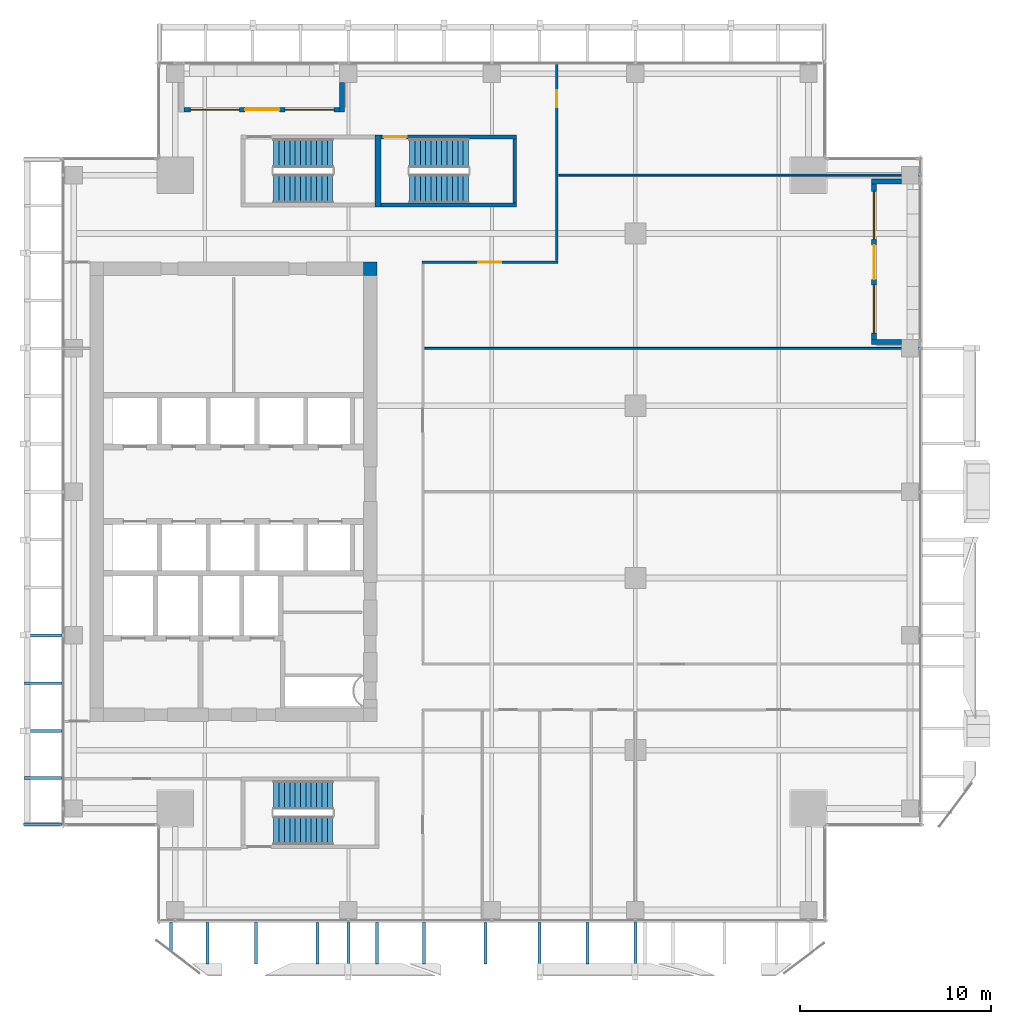
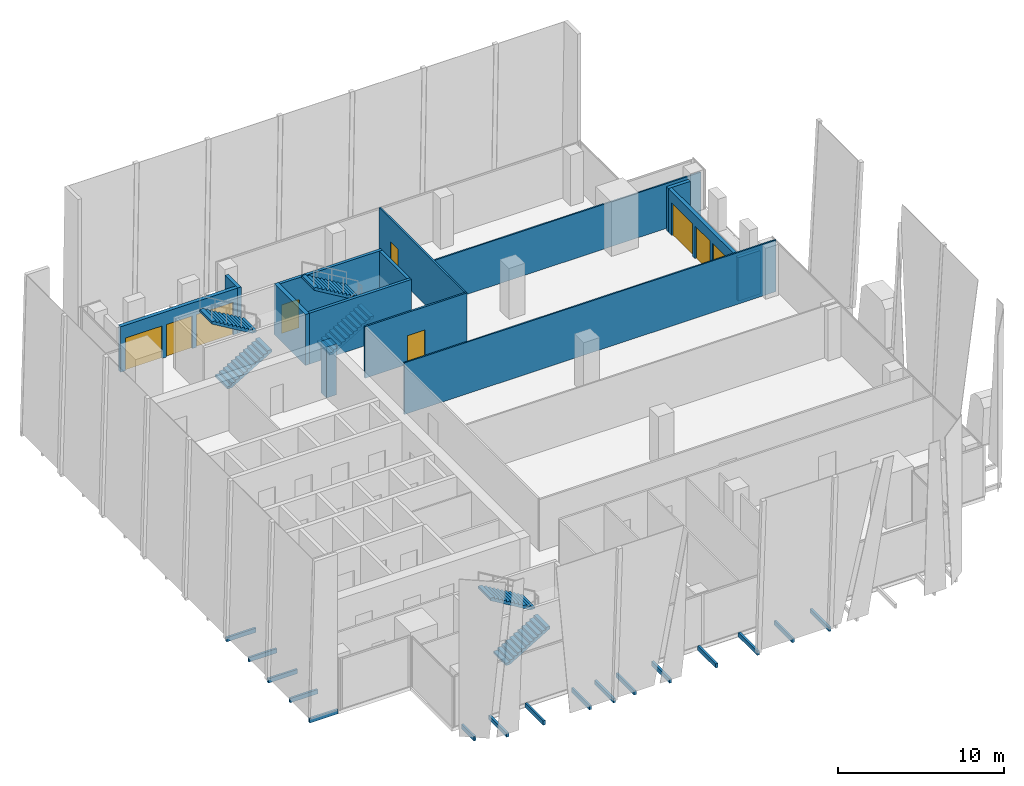
# One storey, part 30 of 35: 16 discrete accessories, 14 walls, 6 stair flights, 5 doors, 4 windows, 9 openings, 3 elements without a shape of their own.
"""IFC4 building model written with IfcOpenShell, lengths in metres."""

import ifcopenshell
import ifcopenshell.guid

model = None  # the IFC model being written
_history = None  # IfcOwnerHistory: only IFC2X3 demands one
_inside = {}  # id of a spatial element -> (the spatial element, [elements in it])
_under = {}  # id of a project, library or spatial element -> (it, [spatial elements below it])
_declared = {}  # id of a project -> (the project, [libraries it declares])
_typed = {}  # id of a type object -> (the type object, [elements of that type])
_made_of = {}  # id of a material, layer set ... -> (it, [elements and type objects made of it])


def new_model(schema):
    """Start an empty IFC model of exactly this schema.

    Asked for "IFC4X3", IfcOpenShell would pick the latest addendum, in which some entities
    have other attributes; the version numbers below select the first issue.
    IFC2X3 requires an IfcOwnerHistory on every rooted entity: one is made here for all.
    """
    global model, _history
    if schema == "IFC4X3":
        model = ifcopenshell.file(schema_version=(4, 3, 0, 0))
    else:
        model = ifcopenshell.file(schema=schema)
    _inside.clear()
    _under.clear()
    _declared.clear()
    _typed.clear()
    _made_of.clear()
    _history = None
    if model.schema == "IFC2X3":
        org = make("IfcOrganization", Name="unknown")
        user = make(
            "IfcPersonAndOrganization",
            ThePerson=make("IfcPerson", FamilyName="unknown"),
            TheOrganization=org,
        )
        app = make(
            "IfcApplication",
            ApplicationDeveloper=org,
            Version="unknown",
            ApplicationFullName="unknown",
            ApplicationIdentifier="unknown",
        )
        _history = make(
            "IfcOwnerHistory",
            OwningUser=user,
            OwningApplication=app,
            ChangeAction="ADDED",
            CreationDate=0,
        )
    return model


def make(cls, **values):
    """One entity of the class cls with the attributes given. An attribute that is None is left unset."""
    return model.create_entity(
        cls, **{name: value for name, value in values.items() if value is not None}
    )


def rooted(cls, **values):
    """An entity with a GlobalId (a new one), such as an element, a storey or a relation."""
    return make(cls, GlobalId=ifcopenshell.guid.new(), OwnerHistory=_history, **values)


def si_unit(unit_type, name, prefix=None):
    """IfcSIUnit, for example si_unit("LENGTHUNIT", "METRE", prefix="MILLI")."""
    return make("IfcSIUnit", UnitType=unit_type, Prefix=prefix, Name=name)


def assignment(units):
    """IfcUnitAssignment: the units of a project."""
    return None if units is None else make("IfcUnitAssignment", Units=units)


def point(xyz):
    """IfcCartesianPoint."""
    return None if xyz is None else make("IfcCartesianPoint", Coordinates=xyz)


def direction(xyz):
    """IfcDirection."""
    return None if xyz is None else make("IfcDirection", DirectionRatios=xyz)


def frame(location, z_axis=None, x_axis=None):
    """IfcAxis2Placement3D, a coordinate frame: its origin and axes. An axis left out is left unset."""
    return make(
        "IfcAxis2Placement3D",
        Location=point(location),
        Axis=direction(z_axis),
        RefDirection=direction(x_axis),
    )


def frame_2d(location, x_axis=None):
    """IfcAxis2Placement2D, a coordinate frame in the plane: its origin and x axis."""
    return make(
        "IfcAxis2Placement2D", Location=point(location), RefDirection=direction(x_axis)
    )


def origin():
    """The frame at (0, 0, 0) with its axes left unset."""
    return frame((0.0, 0.0, 0.0))


def origin_2d():
    """The frame at (0, 0) in the plane with its x axis left unset."""
    return frame_2d((0.0, 0.0))


def place(relative_to, where):
    """IfcLocalPlacement: puts the frame where relative to a parent placement (None: the world)."""
    return make(
        "IfcLocalPlacement", PlacementRelTo=relative_to, RelativePlacement=where
    )


def context(
    kind, dimensions, precision=None, world=None, true_north=None, identifier=None
):
    """IfcGeometricRepresentationContext, for example the 3D "Model" context."""
    return make(
        "IfcGeometricRepresentationContext",
        ContextIdentifier=identifier,
        ContextType=kind,
        CoordinateSpaceDimension=dimensions,
        Precision=precision,
        WorldCoordinateSystem=world,
        TrueNorth=true_north,
    )


def subcontext(parent, identifier, kind, view, scale=None):
    """IfcGeometricRepresentationSubContext, for example "Body" below "Model"."""
    return make(
        "IfcGeometricRepresentationSubContext",
        ContextIdentifier=identifier,
        ContextType=kind,
        ParentContext=parent,
        TargetScale=scale,
        TargetView=view,
    )


def project(units=None, contexts=None):
    """IfcProject with its units and contexts."""
    return rooted(
        "IfcProject",
        Name="project",
        RepresentationContexts=contexts,
        UnitsInContext=assignment(units),
    )


def spatial(cls, under=None, at=None, **own):
    """A site, building, storey or space (cls), placed at a placement, below another one or the project."""
    s = rooted(cls, ObjectPlacement=at, **own)
    if under is not None:
        _under.setdefault(under.id(), (under, []))[1].append(s)
    return s


def polyline(points):
    """IfcPolyline through the points."""
    return make("IfcPolyline", Points=[point(p) for p in points])


def profile(cls, at=None, kind="AREA", **sizes):
    """A parametric profile (cls). Its sizes go by their IFC names, for example OverallWidth=200.0."""
    return make(cls, ProfileType=kind, Position=at, **sizes)


def rectangle(**sizes):
    """IfcRectangleProfileDef."""
    return profile("IfcRectangleProfileDef", **sizes)


def outline(outer, holes=None, kind="AREA"):
    """IfcArbitraryClosedProfileDef: a profile drawn as a closed curve; with holes, ...WithVoids."""
    if holes is None:
        return make("IfcArbitraryClosedProfileDef", ProfileType=kind, OuterCurve=outer)
    return make(
        "IfcArbitraryProfileDefWithVoids",
        ProfileType=kind,
        OuterCurve=outer,
        InnerCurves=holes,
    )


def extrude(swept, where, along, depth):
    """IfcExtrudedAreaSolid: the profile swept, set in the frame where, extruded along a direction by depth."""
    return make(
        "IfcExtrudedAreaSolid",
        SweptArea=swept,
        Position=where,
        ExtrudedDirection=direction(along),
        Depth=depth,
    )


def shape(context_of_items, identifier, shape_type, items):
    """IfcShapeRepresentation: the items that make up one representation, for example the "Body"."""
    return make(
        "IfcShapeRepresentation",
        ContextOfItems=context_of_items,
        RepresentationIdentifier=identifier,
        RepresentationType=shape_type,
        Items=items,
    )


def source(mapping_origin, context_of_items, identifier, shape_type, items):
    """IfcRepresentationMap: a shape defined once, which mapped items show again and again."""
    return make(
        "IfcRepresentationMap",
        MappingOrigin=mapping_origin,
        MappedRepresentation=shape(context_of_items, identifier, shape_type, items),
    )


def transform(
    local_origin,
    x_axis=None,
    y_axis=None,
    z_axis=None,
    scale=None,
    scale2=None,
    scale3=None,
    uniform=True,
):
    """IfcCartesianTransformationOperator3D, or its non-uniform kind. x_axis, y_axis, z_axis: its Axis1, 2, 3."""
    if uniform:
        return make(
            "IfcCartesianTransformationOperator3D",
            Axis1=direction(x_axis),
            Axis2=direction(y_axis),
            LocalOrigin=point(local_origin),
            Scale=scale,
            Axis3=direction(z_axis),
        )
    return make(
        "IfcCartesianTransformationOperator3DnonUniform",
        Axis1=direction(x_axis),
        Axis2=direction(y_axis),
        LocalOrigin=point(local_origin),
        Scale=scale,
        Axis3=direction(z_axis),
        Scale2=scale2,
        Scale3=scale3,
    )


def mapped(mapping_source, mapping_target):
    """IfcMappedItem: shows the shape of a source again, moved by a transform."""
    return make(
        "IfcMappedItem", MappingSource=mapping_source, MappingTarget=mapping_target
    )


def material(Name=None, Category=None):
    """IfcMaterial."""
    return make("IfcMaterial", Name=Name, Category=Category)


def layer(
    of_material, thickness, ventilated=None, Name=None, Category=None, Priority=None
):
    """IfcMaterialLayer: one layer of a wall or slab, of a material (None: an air gap)."""
    return make(
        "IfcMaterialLayer",
        Material=of_material,
        LayerThickness=thickness,
        IsVentilated=ventilated,
        Name=Name,
        Category=Category,
        Priority=Priority,
    )


def layer_set(layers, Name=None):
    """IfcMaterialLayerSet."""
    return make("IfcMaterialLayerSet", MaterialLayers=layers, LayerSetName=Name)


def made_of(thing, what):
    """Note that an element or type object is made of a material, layer set ...; save() writes the relation."""
    if what is not None:
        _made_of.setdefault(what.id(), (what, []))[1].append(thing)
    return thing


def type_object(cls, material=None, **own):
    """A type object (cls), such as IfcWallType, which elements share."""
    return made_of(rooted(cls, **own), material)


def element(
    cls,
    number,
    at=None,
    inside=None,
    cuts=None,
    type_object=None,
    material=None,
    context=None,
    identifier="Body",
    shape_type=None,
    held_by="IfcProductDefinitionShape",
    body=None,
    shapes=None,
    **own,
):
    """One element of the class cls, such as IfcWall. Its Tag is "e" and its number.

    at: its placement. inside: the storey or other place that contains it. cuts: it is an
    opening in that element (IfcRelVoidsElement). A single representation is given by context,
    identifier, shape_type and body (its items); several are given by shapes. held_by: the class
    of the entity that holds the representations. save() writes the other relations.
    """
    e = rooted(cls, Tag="e%d" % number, ObjectPlacement=at, **own)
    if body is not None:
        shapes = [shape(context, identifier, shape_type, body)]
    if shapes is not None:
        e.Representation = make(held_by, Representations=shapes)
    if inside is not None:
        _inside.setdefault(inside.id(), (inside, []))[1].append(e)
    if cuts is not None:
        rooted(
            "IfcRelVoidsElement", RelatingBuildingElement=cuts, RelatedOpeningElement=e
        )
    if type_object is not None:
        _typed.setdefault(type_object.id(), (type_object, []))[1].append(e)
    return made_of(e, material)


def fill(opening, filler):
    """IfcRelFillsElement: the door or window that sits in an opening."""
    return rooted(
        "IfcRelFillsElement",
        RelatingOpeningElement=opening,
        RelatedBuildingElement=filler,
    )


def aggregate(whole, parts):
    """IfcRelAggregates: a whole, such as a stair, and the parts it consists of."""
    return rooted("IfcRelAggregates", RelatingObject=whole, RelatedObjects=parts)


def save(model, path):
    """Write the relations noted so far, then the file.

    IfcRelAggregates (storeys below a building ...), IfcRelContainedInSpatialStructure (elements
    in a storey), IfcRelDefinesByType, IfcRelAssociatesMaterial and IfcRelDeclares: one each for
    every whole, place, type object, material and project.
    """
    for whole, parts in _under.values():
        aggregate(whole, parts)
    for where, things in _inside.values():
        rooted(
            "IfcRelContainedInSpatialStructure",
            RelatedElements=things,
            RelatingStructure=where,
        )
    for kind, things in _typed.values():
        rooted("IfcRelDefinesByType", RelatedObjects=things, RelatingType=kind)
    for what, things in _made_of.values():
        rooted("IfcRelAssociatesMaterial", RelatedObjects=things, RelatingMaterial=what)
    for by, libraries in _declared.values():
        rooted("IfcRelDeclares", RelatingContext=by, RelatedDefinitions=libraries)
    model.write(path)


model = new_model("IFC4")

# Units and contexts
model_context = context("Model", 3, precision=1e-05, world=origin(), true_north=direction((0.0, 1.0)))
body_context = subcontext(model_context, "Body", "Model", "MODEL_VIEW")
ifc_project = project(units=[si_unit("LENGTHUNIT", "METRE"), si_unit("AREAUNIT", "SQUARE_METRE"), si_unit("VOLUMEUNIT", "CUBIC_METRE"), si_unit("PLANEANGLEUNIT", "RADIAN"), si_unit("MASSUNIT", "GRAM", prefix="KILO")], contexts=[model_context])

# Site, building, storey
site_placement = place(None, origin())
site = spatial("IfcSite", under=ifc_project, at=site_placement, CompositionType="ELEMENT")
building_placement = place(site_placement, origin())
building = spatial("IfcBuilding", under=site, at=building_placement, Name="Khomas Fold Tower", CompositionType="ELEMENT")
storey_placement = place(building_placement, frame((0.0, 0.0, 246.199951171875)))
storey = spatial("IfcBuildingStorey", under=building, at=storey_placement, Name="L55", CompositionType="ELEMENT", Elevation=246.199951171875)

# Wall, opening, door
ifc_material_1 = material(Name="Concrete C50/60", Category="concrete")
ifc_layer_1 = layer(ifc_material_1, 0.199951171875)
ifc_layer_set_1 = layer_set([ifc_layer_1], Name="Concrete C50/60")
wall_type_1 = type_object("IfcWallType", Name="Stair wall 200", PredefinedType="SHEAR", material=ifc_layer_set_1)
shared_shape_1 = source(origin(), body_context, "Body", "SweptSolid", [
    extrude(rectangle(XDim=7.10009765625, YDim=0.199951171875, at=frame_2d((3.550048828125, 0.0))), origin(), (0.0, 0.0, 1.0), 3.75),
])
wall_1_placement = place(storey_placement, frame((21.199951171875, 45.550048828125, 0.0), z_axis=(0.0, 0.0, 1.0), x_axis=(1.0, 0.0, 0.0)))
wall_1 = element("IfcWall", 1, at=wall_1_placement, inside=storey, type_object=wall_type_1, Name="Stair wall SW-ST3-N", PredefinedType="SHEAR", context=body_context, shape_type="MappedRepresentation", body=[
    mapped(shared_shape_1, transform((0.0, 0.0, 0.0))),
])
shared_shape_2 = source(origin(), body_context, "Body", "SweptSolid", [
    extrude(rectangle(XDim=1.199951171875, YDim=2.10009765625, at=frame_2d((0.60009765625, 1.050048828125))), frame((0.0, 0.10986328125, 0.0), z_axis=(0.0, -1.0, 0.0), x_axis=(1.0, 0.0, 0.0)), (0.0, 0.0, 1.0), 0.219970703125),
])
opening_1_placement = place(wall_1_placement, frame((0.14990234375, 0.0, 0.0)))
opening_1 = element("IfcOpeningElement", 2, at=opening_1_placement, cuts=wall_1, Name="Opening SD-ST3", PredefinedType="OPENING", context=body_context, shape_type="MappedRepresentation", body=[
    mapped(shared_shape_2, transform((0.0, 0.0, 0.0))),
])
ifc_material_2 = material(Name="Steel door leaf", Category="steel")
door_type_1 = type_object("IfcDoorType", Name="Stair door 1200x2100 left-hand", OperationType="SINGLE_SWING_LEFT", PredefinedType="DOOR", material=ifc_material_2)
shared_shape_3 = source(origin(), body_context, "Body", "SweptSolid", [
    extrude(rectangle(XDim=1.199951171875, YDim=2.10009765625, at=frame_2d((0.60009765625, 1.050048828125))), frame((0.0, 0.02490234375, 0.0), z_axis=(0.0, -1.0, 0.0), x_axis=(1.0, 0.0, 0.0)), (0.0, 0.0, 1.0), 0.050048828125),
])
door_1_placement = place(opening_1_placement, origin())
door_1 = element("IfcDoor", 3, at=door_1_placement, inside=storey, type_object=door_type_1, Name="Stair door", OperationType="SINGLE_SWING_LEFT", OverallHeight=2.10009765625, OverallWidth=1.199951171875, PredefinedType="DOOR", context=body_context, shape_type="MappedRepresentation", body=[
    mapped(shared_shape_3, transform((0.0, 0.0, 0.0))),
])
fill(opening_1, door_1)

# Walls
wall_2_placement = place(storey_placement, frame((21.199951171875, 42.0, 0.0), z_axis=(0.0, 0.0, 1.0), x_axis=(1.0, 0.0, 0.0)))
element("IfcWall", 4, at=wall_2_placement, inside=storey, type_object=wall_type_1, Name="Stair wall SW-ST3-S", PredefinedType="SHEAR", context=body_context, shape_type="MappedRepresentation", body=[
    mapped(shared_shape_1, transform((0.0, 0.0, 0.0))),
])
ifc_material_3 = material(Name="Concrete C50/60", Category="concrete")
ifc_layer_2 = layer(ifc_material_3, 0.300048828125)
ifc_layer_set_2 = layer_set([ifc_layer_2], Name="Concrete C50/60")
wall_type_2 = type_object("IfcWallType", Name="Stair wall 300", PredefinedType="SHEAR", material=ifc_layer_set_2)
shared_shape_4 = source(origin(), body_context, "Body", "SweptSolid", [
    extrude(rectangle(XDim=3.75, YDim=0.300048828125, at=frame_2d((1.875, 0.0))), origin(), (0.0, 0.0, 1.0), 3.75),
])
wall_3_placement = place(storey_placement, frame((21.050048828125, 41.89990234375, 0.0), z_axis=(0.0, 0.0, 1.0), x_axis=(0.0, 1.0, 0.0)))
element("IfcWall", 5, at=wall_3_placement, inside=storey, type_object=wall_type_2, Name="Stair wall SW-ST1-E", PredefinedType="SHEAR", context=body_context, shape_type="MappedRepresentation", body=[
    mapped(shared_shape_4, transform((0.0, 0.0, 0.0))),
])
shared_shape_5 = source(origin(), body_context, "Body", "SweptSolid", [
    extrude(rectangle(XDim=3.349853515625, YDim=0.199951171875, at=frame_2d((1.6748046875, 0.0))), origin(), (0.0, 0.0, 1.0), 3.75),
])
wall_4_placement = place(storey_placement, frame((28.199951171875, 42.10009765625, 0.0), z_axis=(0.0, 0.0, 1.0), x_axis=(0.0, 1.0, 0.0)))
element("IfcWall", 6, at=wall_4_placement, inside=storey, type_object=wall_type_1, Name="Stair wall SW-ST3-E", PredefinedType="SHEAR", context=body_context, shape_type="MappedRepresentation", body=[
    mapped(shared_shape_5, transform((0.0, 0.0, 0.0))),
])
ifc_material_4 = material(Name="Concrete C60/75", Category="concrete")
ifc_layer_3 = layer(ifc_material_4, 0.699951171875)
ifc_layer_set_3 = layer_set([ifc_layer_3], Name="Concrete C60/75")
wall_type_3 = type_object("IfcWallType", Name="Core corner wall 700", PredefinedType="SHEAR", material=ifc_layer_set_3)
shared_shape_6 = source(origin(), body_context, "Body", "SweptSolid", [
    extrude(rectangle(XDim=0.699951171875, YDim=0.699951171875, at=frame_2d((0.35009765625, 0.0))), origin(), (0.0, 0.0, 1.0), 3.75),
])
wall_5_placement = place(storey_placement, frame((20.300048828125, 38.64990234375, 0.0), z_axis=(0.0, 0.0, 1.0), x_axis=(1.0, 0.0, 0.0)))
element("IfcWall", 7, at=wall_5_placement, inside=storey, type_object=wall_type_3, Name="Core wall CW-U-NE-L49", PredefinedType="SHEAR", context=body_context, shape_type="MappedRepresentation", body=[
    mapped(shared_shape_6, transform((0.0, 0.0, 0.0))),
])

# Wall, openings, door, windows
ifc_material_5 = material(Name="Natural stone", Category="masonry")
ifc_layer_4 = layer(ifc_material_5, 0.0400390625)
ifc_material_6 = material(Name="Mineral wool insulation", Category="insulation")
ifc_layer_5 = layer(ifc_material_6, 0.10009765625)
ifc_material_7 = material(Name="Masonry", Category="masonry")
ifc_layer_6 = layer(ifc_material_7, 0.110107421875)
ifc_layer_set_4 = layer_set([ifc_layer_4, ifc_layer_5, ifc_layer_6], Name="Stone-faced insulated masonry")
wall_type_4 = type_object("IfcWallType", Name="BL-Balcony wall", PredefinedType="SOLIDWALL", material=ifc_layer_set_4)
shared_shape_7 = source(origin(), body_context, "Body", "SweptSolid", [
    extrude(rectangle(XDim=8.150146484375, YDim=0.25, at=frame_2d((4.0751953125, 0.0))), origin(), (0.0, 0.0, 1.0), 3.35009765625),
])
wall_6_placement = place(storey_placement, frame((10.89990234375, 46.97509765625, 0.0), z_axis=(0.0, 0.0, 1.0), x_axis=(1.0, 0.0, 0.0)))
wall_6 = element("IfcWall", 8, at=wall_6_placement, inside=storey, type_object=wall_type_4, Name="Balcony wall BAL-L55-N1", PredefinedType="SOLIDWALL", context=body_context, shape_type="MappedRepresentation", body=[
    mapped(shared_shape_7, transform((0.0, 0.0, 0.0))),
])
shared_shape_8 = source(origin(), body_context, "Body", "SweptSolid", [
    extrude(rectangle(XDim=2.550048828125, YDim=2.39990234375, at=frame_2d((1.27490234375, 1.199951171875))), frame((0.0, 0.135009765625, 0.0), z_axis=(0.0, -1.0, 0.0), x_axis=(1.0, 0.0, 0.0)), (0.0, 0.0, 1.0), 0.27001953125),
])
opening_2_placement = place(wall_6_placement, frame((0.35009765625, 0.0, 0.0)))
opening_2 = element("IfcOpeningElement", 9, at=opening_2_placement, cuts=wall_6, Name="Opening BL-W4", PredefinedType="OPENING", context=body_context, shape_type="MappedRepresentation", body=[
    mapped(shared_shape_8, transform((0.0, 0.0, 0.0))),
])
opening_3_placement = place(wall_6_placement, frame((5.300048828125, 0.0, 0.0)))
opening_3 = element("IfcOpeningElement", 10, at=opening_3_placement, cuts=wall_6, Name="Opening BL-W4", PredefinedType="OPENING", context=body_context, shape_type="MappedRepresentation", body=[
    mapped(shared_shape_8, transform((0.0, 0.0, 0.0))),
])
shared_shape_9 = source(origin(), body_context, "Body", "SweptSolid", [
    extrude(rectangle(XDim=1.800048828125, YDim=2.39990234375, at=frame_2d((0.89990234375, 1.199951171875))), frame((0.0, 0.135009765625, 0.0), z_axis=(0.0, -1.0, 0.0), x_axis=(1.0, 0.0, 0.0)), (0.0, 0.0, 1.0), 0.27001953125),
])
opening_4_placement = place(wall_6_placement, frame((3.199951171875, 0.0, 0.0)))
opening_4 = element("IfcOpeningElement", 11, at=opening_4_placement, cuts=wall_6, Name="Opening BD552", PredefinedType="OPENING", context=body_context, shape_type="MappedRepresentation", body=[
    mapped(shared_shape_9, transform((0.0, 0.0, 0.0))),
])
ifc_material_8 = material(Name="Aluminium framed double glazing", Category="aluminium")
door_type_2 = type_object("IfcDoorType", Name="BL-Glazed balcony door 1800 x 2400", OperationType="DOUBLE_DOOR_DOUBLE_SWING", PredefinedType="DOOR", material=ifc_material_8)
shared_shape_10 = source(origin(), body_context, "Body", "SweptSolid", [
    extrude(rectangle(XDim=1.800048828125, YDim=2.39990234375, at=frame_2d((0.89990234375, 1.199951171875))), frame((0.0, 0.02490234375, 0.0), z_axis=(0.0, -1.0, 0.0), x_axis=(1.0, 0.0, 0.0)), (0.0, 0.0, 1.0), 0.050048828125),
])
door_2_placement = place(opening_4_placement, origin())
door_2 = element("IfcDoor", 12, at=door_2_placement, inside=storey, type_object=door_type_2, Name="Balcony door BD552", OperationType="DOUBLE_DOOR_DOUBLE_SWING", OverallHeight=2.39990234375, OverallWidth=1.800048828125, PredefinedType="DOOR", context=body_context, shape_type="MappedRepresentation", body=[
    mapped(shared_shape_10, transform((0.0, 0.0, 0.0))),
])
fill(opening_4, door_2)
ifc_material_9 = material(Name="Aluminium framed double glazing", Category="aluminium")
window_type_1 = type_object("IfcWindowType", Name="BL-Fixed glazing 2550 x 2400", PartitioningType="SINGLE_PANEL", PredefinedType="WINDOW", material=ifc_material_9)
shared_shape_11 = source(origin(), body_context, "Body", "SweptSolid", [
    extrude(rectangle(XDim=2.550048828125, YDim=2.39990234375, at=frame_2d((1.27490234375, 1.199951171875))), frame((0.0, 0.030029296875, 0.0), z_axis=(0.0, -1.0, 0.0), x_axis=(1.0, 0.0, 0.0)), (0.0, 0.0, 1.0), 0.06005859375),
])
window_1_placement = place(opening_2_placement, origin())
window_1 = element("IfcWindow", 13, at=window_1_placement, inside=storey, type_object=window_type_1, Name="Balcony glazing BAL-L55-N1-1", OverallHeight=2.39990234375, OverallWidth=2.550048828125, PartitioningType="SINGLE_PANEL", PredefinedType="WINDOW", context=body_context, shape_type="MappedRepresentation", body=[
    mapped(shared_shape_11, transform((0.0, 0.0, 0.0))),
])
fill(opening_2, window_1)
window_2_placement = place(opening_3_placement, origin())
window_2 = element("IfcWindow", 14, at=window_2_placement, inside=storey, type_object=window_type_1, Name="Balcony glazing BAL-L55-N1-2", OverallHeight=2.39990234375, OverallWidth=2.550048828125, PartitioningType="SINGLE_PANEL", PredefinedType="WINDOW", context=body_context, shape_type="MappedRepresentation", body=[
    mapped(shared_shape_11, transform((0.0, 0.0, 0.0))),
])
fill(opening_3, window_2)

# Walls
shared_shape_12 = source(origin(), body_context, "Body", "SweptSolid", [
    extrude(rectangle(XDim=1.5498046875, YDim=0.25, at=frame_2d((0.77490234375, 0.0))), origin(), (0.0, 0.0, 1.0), 3.35009765625),
])
wall_7_placement = place(storey_placement, frame((19.175048828125, 48.39990234375, 0.0), z_axis=(0.0, 0.0, 1.0), x_axis=(0.0, -1.0, 0.0)))
element("IfcWall", 15, at=wall_7_placement, inside=storey, type_object=wall_type_4, Name="Balcony return wall BAL-L55-N1-hi", PredefinedType="SOLIDWALL", context=body_context, shape_type="MappedRepresentation", body=[
    mapped(shared_shape_12, transform((0.0, 0.0, 0.0))),
])
shared_shape_13 = source(origin(), body_context, "Body", "SweptSolid", [
    extrude(rectangle(XDim=1.5498046875, YDim=0.25, at=frame_2d((0.77490234375, 0.0))), origin(), (0.0, 0.0, 1.0), 3.199951171875),
])
for number, where, z_axis, x_axis, name in (
    (16, (48.39990234375, 34.824951171875, 0.0), (0.0, 0.0, 1.0), (-1.0, 0.0, 0.0), "Balcony return wall BAL-L55-E4-lo"),
    (17, (48.39990234375, 43.22509765625, 0.0), (0.0, 0.0, 1.0), (-1.0, 0.0, 0.0), "Balcony return wall BAL-L55-E4-hi"),
):
    element("IfcWall", number, at=place(storey_placement, frame(where, z_axis=z_axis, x_axis=x_axis)), inside=storey, type_object=wall_type_4, Name=name, PredefinedType="SOLIDWALL", context=body_context, shape_type="MappedRepresentation", body=[
        mapped(shared_shape_13, transform((0.0, 0.0, 0.0))),
    ])

# Wall, openings, door, windows
shared_shape_14 = source(origin(), body_context, "Body", "SweptSolid", [
    extrude(rectangle(XDim=8.150146484375, YDim=0.25, at=frame_2d((4.0751953125, 0.0))), origin(), (0.0, 0.0, 1.0), 3.199951171875),
])
wall_8_placement = place(storey_placement, frame((46.97509765625, 34.949951171875, 0.0), z_axis=(0.0, 0.0, 1.0), x_axis=(0.0, 1.0, 0.0)))
wall_8 = element("IfcWall", 18, at=wall_8_placement, inside=storey, type_object=wall_type_4, Name="Balcony wall BAL-L55-E4", PredefinedType="SOLIDWALL", context=body_context, shape_type="MappedRepresentation", body=[
    mapped(shared_shape_14, transform((0.0, 0.0, 0.0))),
])
shared_shape_15 = source(origin(), body_context, "Body", "SweptSolid", [
    extrude(rectangle(XDim=2.5, YDim=2.39990234375, at=frame_2d((1.25, 1.199951171875))), frame((0.0, 0.135009765625, 0.0), z_axis=(0.0, -1.0, 0.0), x_axis=(1.0, 0.0, 0.0)), (0.0, 0.0, 1.0), 0.27001953125),
])
opening_5_placement = place(wall_8_placement, frame((0.35009765625, 0.0, 0.0)))
opening_5 = element("IfcOpeningElement", 19, at=opening_5_placement, cuts=wall_8, Name="Opening BL-W5", PredefinedType="OPENING", context=body_context, shape_type="MappedRepresentation", body=[
    mapped(shared_shape_15, transform((0.0, 0.0, 0.0))),
])
opening_6_placement = place(wall_8_placement, frame((5.25, 0.0, 0.0)))
opening_6 = element("IfcOpeningElement", 20, at=opening_6_placement, cuts=wall_8, Name="Opening BL-W5", PredefinedType="OPENING", context=body_context, shape_type="MappedRepresentation", body=[
    mapped(shared_shape_15, transform((0.0, 0.0, 0.0))),
])
opening_7_placement = place(wall_8_placement, frame((3.14990234375, 0.0, 0.0)))
opening_7 = element("IfcOpeningElement", 21, at=opening_7_placement, cuts=wall_8, Name="Opening BD551", PredefinedType="OPENING", context=body_context, shape_type="MappedRepresentation", body=[
    mapped(shared_shape_9, transform((0.0, 0.0, 0.0))),
])
door_3_placement = place(opening_7_placement, origin())
door_3 = element("IfcDoor", 22, at=door_3_placement, inside=storey, type_object=door_type_2, Name="Balcony door BD551", OperationType="DOUBLE_DOOR_DOUBLE_SWING", OverallHeight=2.39990234375, OverallWidth=1.800048828125, PredefinedType="DOOR", context=body_context, shape_type="MappedRepresentation", body=[
    mapped(shared_shape_10, transform((0.0, 0.0, 0.0))),
])
fill(opening_7, door_3)
ifc_material_10 = material(Name="Aluminium framed double glazing", Category="aluminium")
window_type_2 = type_object("IfcWindowType", Name="BL-Fixed glazing 2500 x 2400", PartitioningType="SINGLE_PANEL", PredefinedType="WINDOW", material=ifc_material_10)
shared_shape_16 = source(origin(), body_context, "Body", "SweptSolid", [
    extrude(rectangle(XDim=2.5, YDim=2.39990234375, at=frame_2d((1.25, 1.199951171875))), frame((0.0, 0.030029296875, 0.0), z_axis=(0.0, -1.0, 0.0), x_axis=(1.0, 0.0, 0.0)), (0.0, 0.0, 1.0), 0.06005859375),
])
window_3_placement = place(opening_5_placement, origin())
window_3 = element("IfcWindow", 23, at=window_3_placement, inside=storey, type_object=window_type_2, Name="Balcony glazing BAL-L55-E4-1", OverallHeight=2.39990234375, OverallWidth=2.5, PartitioningType="SINGLE_PANEL", PredefinedType="WINDOW", context=body_context, shape_type="MappedRepresentation", body=[
    mapped(shared_shape_16, transform((0.0, 0.0, 0.0))),
])
fill(opening_5, window_3)
window_4_placement = place(opening_6_placement, origin())
window_4 = element("IfcWindow", 24, at=window_4_placement, inside=storey, type_object=window_type_2, Name="Balcony glazing BAL-L55-E4-2", OverallHeight=2.39990234375, OverallWidth=2.5, PartitioningType="SINGLE_PANEL", PredefinedType="WINDOW", context=body_context, shape_type="MappedRepresentation", body=[
    mapped(shared_shape_16, transform((0.0, 0.0, 0.0))),
])
fill(opening_6, window_4)

# Wall, opening, door
ifc_material_11 = material(Name="Plasterboard partition")
ifc_layer_7 = layer(ifc_material_11, 0.125)
ifc_layer_set_5 = layer_set([ifc_layer_7], Name="Plasterboard partition")
wall_type_5 = type_object("IfcWallType", Name="Partition PW2 125", PredefinedType="PARTITIONING", material=ifc_layer_set_5)
shared_shape_17 = source(origin(), body_context, "Body", "SweptSolid", [
    extrude(rectangle(XDim=10.25, YDim=0.125, at=frame_2d((5.125, 0.0))), origin(), (0.0, 0.0, 1.0), 3.800048828125),
])
wall_9_placement = place(storey_placement, frame((30.39990234375, 39.10009765625, 0.0), z_axis=(0.0, 0.0, 1.0), x_axis=(0.0, 1.0, 0.0)))
wall_9 = element("IfcWall", 25, at=wall_9_placement, inside=storey, type_object=wall_type_5, Name="Partition", PredefinedType="PARTITIONING", context=body_context, shape_type="MappedRepresentation", body=[
    mapped(shared_shape_17, transform((0.0, 0.0, 0.0))),
])
shared_shape_18 = source(origin(), body_context, "Body", "SweptSolid", [
    extrude(rectangle(XDim=0.89990234375, YDim=2.10009765625, at=frame_2d((0.449951171875, 1.050048828125))), frame((0.0, 0.072509765625, 0.0), z_axis=(0.0, -1.0, 0.0), x_axis=(1.0, 0.0, 0.0)), (0.0, 0.0, 1.0), 0.14501953125),
])
opening_8_placement = place(wall_9_placement, frame((8.0, 0.0, 0.0)))
opening_8 = element("IfcOpeningElement", 26, at=opening_8_placement, cuts=wall_9, Name="Opening 0007", PredefinedType="OPENING", context=body_context, shape_type="MappedRepresentation", body=[
    mapped(shared_shape_18, transform((0.0, 0.0, 0.0))),
])
ifc_material_12 = material(Name="Timber door leaf", Category="wood")
door_type_3 = type_object("IfcDoorType", Name="Door 900x2100 left-hand", OperationType="SINGLE_SWING_LEFT", PredefinedType="DOOR", material=ifc_material_12)
shared_shape_19 = source(origin(), body_context, "Body", "SweptSolid", [
    extrude(rectangle(XDim=0.89990234375, YDim=2.10009765625, at=frame_2d((0.449951171875, 1.050048828125))), frame((0.0, 0.02490234375, 0.0), z_axis=(0.0, -1.0, 0.0), x_axis=(1.0, 0.0, 0.0)), (0.0, 0.0, 1.0), 0.050048828125),
])
door_4_placement = place(opening_8_placement, origin())
door_4 = element("IfcDoor", 27, at=door_4_placement, inside=storey, type_object=door_type_3, Name="Door", OperationType="SINGLE_SWING_LEFT", OverallHeight=2.10009765625, OverallWidth=0.89990234375, PredefinedType="DOOR", context=body_context, shape_type="MappedRepresentation", body=[
    mapped(shared_shape_19, transform((0.0, 0.0, 0.0))),
])
fill(opening_8, door_4)

shared_shape_20 = source(origin(), body_context, "Body", "SweptSolid", [
    extrude(rectangle(XDim=7.099853515625, YDim=0.125, at=frame_2d((3.5498046875, 0.0))), origin(), (0.0, 0.0, 1.0), 3.800048828125),
])
wall_10_placement = place(storey_placement, frame((23.35009765625, 39.0, 0.0), z_axis=(0.0, 0.0, 1.0), x_axis=(1.0, 0.0, 0.0)))
wall_10 = element("IfcWall", 28, at=wall_10_placement, inside=storey, type_object=wall_type_5, Name="Partition", PredefinedType="PARTITIONING", context=body_context, shape_type="MappedRepresentation", body=[
    mapped(shared_shape_20, transform((0.0, 0.0, 0.0))),
])
shared_shape_21 = source(origin(), body_context, "Body", "SweptSolid", [
    extrude(rectangle(XDim=1.199951171875, YDim=2.10009765625, at=frame_2d((0.60009765625, 1.050048828125))), frame((0.0, 0.072509765625, 0.0), z_axis=(0.0, -1.0, 0.0), x_axis=(1.0, 0.0, 0.0)), (0.0, 0.0, 1.0), 0.14501953125),
])
opening_9_placement = place(wall_10_placement, frame((2.949951171875, 0.0, 0.0)))
opening_9 = element("IfcOpeningElement", 29, at=opening_9_placement, cuts=wall_10, Name="Opening 0013", PredefinedType="OPENING", context=body_context, shape_type="MappedRepresentation", body=[
    mapped(shared_shape_21, transform((0.0, 0.0, 0.0))),
])
ifc_material_13 = material(Name="Timber door leaf", Category="wood")
door_type_4 = type_object("IfcDoorType", Name="Door 1200x2100 left-hand", OperationType="SINGLE_SWING_LEFT", PredefinedType="DOOR", material=ifc_material_13)
door_5_placement = place(opening_9_placement, origin())
door_5 = element("IfcDoor", 30, at=door_5_placement, inside=storey, type_object=door_type_4, Name="Door", OperationType="SINGLE_SWING_LEFT", OverallHeight=2.10009765625, OverallWidth=1.199951171875, PredefinedType="DOOR", context=body_context, shape_type="MappedRepresentation", body=[
    mapped(shared_shape_3, transform((0.0, 0.0, 0.0))),
])
fill(opening_9, door_5)

# Walls
ifc_material_14 = material(Name="Plasterboard partition")
ifc_layer_8 = layer(ifc_material_14, 0.10009765625)
ifc_layer_set_6 = layer_set([ifc_layer_8], Name="Plasterboard partition")
wall_type_6 = type_object("IfcWallType", Name="Partition PW1 100", PredefinedType="PARTITIONING", material=ifc_layer_set_6)
shared_shape_22 = source(origin(), body_context, "Body", "SweptSolid", [
    extrude(rectangle(XDim=25.85009765625, YDim=0.10009765625, at=frame_2d((12.925048828125, 0.0))), origin(), (0.0, 0.0, 1.0), 3.800048828125),
])
wall_11_placement = place(storey_placement, frame((23.5, 34.5, 0.0), z_axis=(0.0, 0.0, 1.0), x_axis=(1.0, 0.0, 0.0)))
element("IfcWall", 31, at=wall_11_placement, inside=storey, type_object=wall_type_6, Name="Partition", PredefinedType="PARTITIONING", context=body_context, shape_type="MappedRepresentation", body=[
    mapped(shared_shape_22, transform((0.0, 0.0, 0.0))),
])
shared_shape_23 = source(origin(), body_context, "Body", "SweptSolid", [
    extrude(rectangle(XDim=18.85009765625, YDim=0.10009765625, at=frame_2d((9.425048828125, 0.0))), origin(), (0.0, 0.0, 1.0), 3.300048828125),
])
wall_12_placement = place(storey_placement, frame((30.5, 43.550048828125, 0.0), z_axis=(0.0, 0.0, 1.0), x_axis=(1.0, 0.0, 0.0)))
element("IfcWall", 32, at=wall_12_placement, inside=storey, type_object=wall_type_6, Name="Partition", PredefinedType="PARTITIONING", context=body_context, shape_type="MappedRepresentation", body=[
    mapped(shared_shape_23, transform((0.0, 0.0, 0.0))),
])

# Stair, stair flights
ifc_material_15 = material(Name="Concrete C40/50", Category="concrete")
stair_type_1 = type_object("IfcStairType", Name="Stair ST1", PredefinedType="HALF_TURN_STAIR", material=ifc_material_15)
stair_1_placement = place(storey_placement, origin())
stair_1 = element("IfcStair", 33, at=stair_1_placement, inside=storey, type_object=stair_type_1, Name="L55 ST1", PredefinedType="HALF_TURN_STAIR")
ifc_material_16 = material(Name="Concrete C40/50", Category="concrete")
stair_flight_type_1 = type_object("IfcStairFlightType", Name="Stair flight 1500 ST1", PredefinedType="STRAIGHT", material=ifc_material_16)
shared_shape_24 = source(origin(), body_context, "Body", "SweptSolid", [
    extrude(outline(polyline([(0.0, 0.0), (0.0, 0.012939453125), (0.0, 0.025634765625), (0.0, 0.03857421875), (0.0, 0.05126953125), (0.0, 0.064208984375), (0.0, 0.076904296875), (0.0, 0.08984375), (0.0, 0.1025390625), (0.0, 0.115478515625), (0.0, 0.128173828125), (0.0, 0.14111328125), (0.0, 0.15380859375), (0.0, 0.166748046875), (0.280029296875, 0.166748046875), (0.280029296875, 0.333251953125), (0.56005859375, 0.333251953125), (0.56005859375, 0.5), (0.840087890625, 0.5), (0.840087890625, 0.666748046875), (1.1201171875, 0.666748046875), (1.1201171875, 0.833251953125), (1.39990234375, 0.833251953125), (1.39990234375, 1.0), (1.679931640625, 1.0), (1.679931640625, 1.166748046875), (1.9599609375, 1.166748046875), (1.9599609375, 1.333251953125), (2.239990234375, 1.333251953125), (2.239990234375, 1.5), (2.52001953125, 1.5), (2.52001953125, 1.666748046875), (2.800048828125, 1.666748046875), (2.800048828125, 1.833251953125), (3.080078125, 1.833251953125), (3.080078125, 2.0), (3.080078125, 1.973876953125), (3.080078125, 1.947509765625), (3.080078125, 1.92138671875), (3.080078125, 1.89501953125), (3.080078125, 1.868896484375), (3.080078125, 1.842529296875), (3.080078125, 1.81640625), (3.080078125, 1.7900390625), (3.080078125, 1.763916015625), (3.080078125, 1.737548828125), (3.080078125, 1.71142578125), (3.080078125, 1.68505859375), (3.080078125, 1.658935546875), (0.29296875, 0.0), (0.0, 0.0)])), frame((0.0, 0.75, 0.0), z_axis=(0.0, -1.0, 0.0), x_axis=(1.0, 0.0, 0.0)), (0.0, 0.0, 1.0), 1.5),
])
stair_flight_1_placement = place(storey_placement, frame((15.60009765625, 42.85009765625, 0.0), z_axis=(0.0, 0.0, 1.0), x_axis=(1.0, 0.0, 0.0)))
stair_flight_1 = element("IfcStairFlight", 34, at=stair_flight_1_placement, type_object=stair_flight_type_1, Name="ST1 flight 1", NumberOfRisers=12, NumberOfTreads=11, PredefinedType="STRAIGHT", RiserHeight=0.166666667, TreadLength=0.28, context=body_context, shape_type="MappedRepresentation", body=[
    mapped(shared_shape_24, transform((0.0, 0.0, 0.0))),
])
stair_flight_2_placement = place(storey_placement, frame((18.679931640625, 44.699951171875, 2.0), z_axis=(0.0, 0.0, 1.0), x_axis=(-1.0, 0.0, 0.0)))
stair_flight_2 = element("IfcStairFlight", 35, at=stair_flight_2_placement, type_object=stair_flight_type_1, Name="ST1 flight 2", NumberOfRisers=12, NumberOfTreads=11, PredefinedType="STRAIGHT", RiserHeight=0.166666667, TreadLength=0.28, context=body_context, shape_type="MappedRepresentation", body=[
    mapped(shared_shape_24, transform((0.0, 0.0, 0.0))),
])
aggregate(stair_1, [stair_flight_1, stair_flight_2])

ifc_material_17 = material(Name="Concrete C40/50", Category="concrete")
stair_type_2 = type_object("IfcStairType", Name="Stair ST2", PredefinedType="HALF_TURN_STAIR", material=ifc_material_17)
stair_2_placement = place(storey_placement, origin())
stair_2 = element("IfcStair", 36, at=stair_2_placement, inside=storey, type_object=stair_type_2, Name="L55 ST2", PredefinedType="HALF_TURN_STAIR")
ifc_material_18 = material(Name="Concrete C40/50", Category="concrete")
stair_flight_type_2 = type_object("IfcStairFlightType", Name="Stair flight 1500 ST2", PredefinedType="STRAIGHT", material=ifc_material_18)
stair_flight_3_placement = place(storey_placement, frame((15.60009765625, 9.300048828125, 0.0), z_axis=(0.0, 0.0, 1.0), x_axis=(1.0, 0.0, 0.0)))
stair_flight_3 = element("IfcStairFlight", 37, at=stair_flight_3_placement, type_object=stair_flight_type_2, Name="ST2 flight 1", NumberOfRisers=12, NumberOfTreads=11, PredefinedType="STRAIGHT", RiserHeight=0.166666667, TreadLength=0.28, context=body_context, shape_type="MappedRepresentation", body=[
    mapped(shared_shape_24, transform((0.0, 0.0, 0.0))),
])
stair_flight_4_placement = place(storey_placement, frame((18.679931640625, 11.14990234375, 2.0), z_axis=(0.0, 0.0, 1.0), x_axis=(-1.0, 0.0, 0.0)))
stair_flight_4 = element("IfcStairFlight", 38, at=stair_flight_4_placement, type_object=stair_flight_type_2, Name="ST2 flight 2", NumberOfRisers=12, NumberOfTreads=11, PredefinedType="STRAIGHT", RiserHeight=0.166666667, TreadLength=0.28, context=body_context, shape_type="MappedRepresentation", body=[
    mapped(shared_shape_24, transform((0.0, 0.0, 0.0))),
])
aggregate(stair_2, [stair_flight_3, stair_flight_4])

ifc_material_19 = material(Name="Concrete C40/50", Category="concrete")
stair_type_3 = type_object("IfcStairType", Name="Stair ST3", PredefinedType="HALF_TURN_STAIR", material=ifc_material_19)
stair_3_placement = place(storey_placement, origin())
stair_3 = element("IfcStair", 39, at=stair_3_placement, inside=storey, type_object=stair_type_3, Name="L55 ST3", PredefinedType="HALF_TURN_STAIR")
ifc_material_20 = material(Name="Concrete C40/50", Category="concrete")
stair_flight_type_3 = type_object("IfcStairFlightType", Name="Stair flight 1500 ST3", PredefinedType="STRAIGHT", material=ifc_material_20)
stair_flight_5_placement = place(storey_placement, frame((22.699951171875, 42.85009765625, 0.0), z_axis=(0.0, 0.0, 1.0), x_axis=(1.0, 0.0, 0.0)))
stair_flight_5 = element("IfcStairFlight", 40, at=stair_flight_5_placement, type_object=stair_flight_type_3, Name="ST3 flight 1", NumberOfRisers=12, NumberOfTreads=11, PredefinedType="STRAIGHT", RiserHeight=0.166666667, TreadLength=0.28, context=body_context, shape_type="MappedRepresentation", body=[
    mapped(shared_shape_24, transform((0.0, 0.0, 0.0))),
])
stair_flight_6_placement = place(storey_placement, frame((25.780029296875, 44.699951171875, 2.0), z_axis=(0.0, 0.0, 1.0), x_axis=(-1.0, 0.0, 0.0)))
stair_flight_6 = element("IfcStairFlight", 41, at=stair_flight_6_placement, type_object=stair_flight_type_3, Name="ST3 flight 2", NumberOfRisers=12, NumberOfTreads=11, PredefinedType="STRAIGHT", RiserHeight=0.166666667, TreadLength=0.28, context=body_context, shape_type="MappedRepresentation", body=[
    mapped(shared_shape_24, transform((0.0, 0.0, 0.0))),
])
aggregate(stair_3, [stair_flight_5, stair_flight_6])

# Discrete accessories
ifc_material_21 = material(Name="Stainless steel", Category="steel")
discrete_accessory_type = type_object("IfcDiscreteAccessoryType", Name="SK-Stainless steel stone bracket", PredefinedType="BRACKET", material=ifc_material_21)
shared_shape_25 = source(origin(), body_context, "Body", "SweptSolid", [
    extrude(rectangle(XDim=2.184326171875, YDim=0.14990234375, at=origin_2d()), origin(), (0.0, 0.0, 1.0), 0.31005859375),
])
for number, where, z_axis, x_axis, name in (
    (42, (14.673095703125, 3.40771484375, -0.25), (0.0, 0.0, 1.0), (0.0, -1.0, 0.0), "Stone bracket L55 SS03-1-3"),
    (43, (26.675048828125, 3.40771484375, -0.25), (0.0, 0.0, 1.0), (0.0, -1.0, 0.0), "Stone bracket L55 SS06-2-3"),
    (44, (12.131103515625, 3.40771484375, -0.25), (0.0, 0.0, 1.0), (0.0, -1.0, 0.0), "Stone bracket L55 SG098-1-1"),
    (45, (23.46142578125, 3.40771484375, -0.25), (0.0, 0.0, 1.0), (0.0, -1.0, 0.0), "Stone bracket L55 SG100-3-1"),
    (46, (17.88671875, 3.40771484375, -0.25), (0.0, 0.0, 1.0), (0.0, -1.0, 0.0), "Stone bracket L55 SG099-4-1"),
    (47, (20.996826171875, 3.40771484375, -0.25), (0.0, 0.0, 1.0), (0.0, -1.0, 0.0), "Stone bracket L55 SG100-6-1"),
    (48, (32.0, 3.40771484375, -0.25), (0.0, 0.0, 1.0), (0.0, -1.0, 0.0), "Stone bracket L55 SG102-9-1"),
):
    element("IfcDiscreteAccessory", number, at=place(storey_placement, frame(where, z_axis=z_axis, x_axis=x_axis)), inside=storey, type_object=discrete_accessory_type, Name=name, PredefinedType="BRACKET", context=body_context, shape_type="MappedRepresentation", body=[
        mapped(shared_shape_25, transform((0.0, 0.0, 0.0))),
    ])
shared_shape_26 = source(origin(), body_context, "Body", "SweptSolid", [
    extrude(rectangle(XDim=1.53662109375, YDim=0.14990234375, at=origin_2d()), origin(), (0.0, 0.0, 1.0), 0.31005859375),
])
discrete_accessory_1_placement = place(storey_placement, frame((10.23291015625, 3.731689453125, -0.25), z_axis=(0.0, 0.0, 1.0), x_axis=(0.0, -1.0, 0.0)))
element("IfcDiscreteAccessory", 49, at=discrete_accessory_1_placement, inside=storey, type_object=discrete_accessory_type, Name="Stone bracket L55 SG098-2-1", PredefinedType="BRACKET", context=body_context, shape_type="MappedRepresentation", body=[
    mapped(shared_shape_26, transform((0.0, 0.0, 0.0))),
])
shared_shape_27 = source(origin(), body_context, "Body", "SweptSolid", [
    extrude(rectangle(XDim=2.279296875, YDim=0.14990234375, at=origin_2d()), origin(), (0.0, 0.0, 1.0), 0.31005859375),
])
for number, where, z_axis, x_axis, name in (
    (50, (19.5, 3.3603515625, -0.25), (0.0, 0.0, 1.0), (0.0, -1.0, 0.0), "Stone bracket L55 SM100-5-1"),
    (51, (29.5, 3.3603515625, -0.25), (0.0, 0.0, 1.0), (0.0, -1.0, 0.0), "Stone bracket L55 SM102-8-1"),
    (52, (34.5, 3.3603515625, -0.25), (0.0, 0.0, 1.0), (0.0, -1.0, 0.0), "Stone bracket L55 SM103-10-1"),
):
    element("IfcDiscreteAccessory", number, at=place(storey_placement, frame(where, z_axis=z_axis, x_axis=x_axis)), inside=storey, type_object=discrete_accessory_type, Name=name, PredefinedType="BRACKET", context=body_context, shape_type="MappedRepresentation", body=[
        mapped(shared_shape_27, transform((0.0, 0.0, 0.0))),
    ])
shared_shape_28 = source(origin(), body_context, "Body", "SweptSolid", [
    extrude(rectangle(XDim=1.93505859375, YDim=0.14990234375, at=origin_2d()), origin(), (0.0, 0.0, 1.0), 0.31005859375),
])
for number, where, z_axis, x_axis, name in (
    (53, (3.532470703125, 12.050048828125, -0.25), (0.0, 0.0, 1.0), (-1.0, 0.0, 0.0), "Stone bracket L55 PLWG01"),
    (54, (3.532470703125, 17.0, -0.25), (0.0, 0.0, 1.0), (-1.0, 0.0, 0.0), "Stone bracket L55 PLWG03"),
):
    element("IfcDiscreteAccessory", number, at=place(storey_placement, frame(where, z_axis=z_axis, x_axis=x_axis)), inside=storey, type_object=discrete_accessory_type, Name=name, PredefinedType="BRACKET", context=body_context, shape_type="MappedRepresentation", body=[
        mapped(shared_shape_28, transform((0.0, 0.0, 0.0))),
    ])
shared_shape_29 = source(origin(), body_context, "Body", "SweptSolid", [
    extrude(rectangle(XDim=2.030029296875, YDim=0.14990234375, at=origin_2d()), origin(), (0.0, 0.0, 1.0), 0.31005859375),
])
for number, where, z_axis, x_axis, name in (
    (55, (3.48486328125, 14.5, -0.25), (0.0, 0.0, 1.0), (-1.0, 0.0, 0.0), "Stone bracket L55 PLWM02"),
    (56, (3.48486328125, 19.5, -0.25), (0.0, 0.0, 1.0), (-1.0, 0.0, 0.0), "Stone bracket L55 PLWM04"),
):
    element("IfcDiscreteAccessory", number, at=place(storey_placement, frame(where, z_axis=z_axis, x_axis=x_axis)), inside=storey, type_object=discrete_accessory_type, Name=name, PredefinedType="BRACKET", context=body_context, shape_type="MappedRepresentation", body=[
        mapped(shared_shape_29, transform((0.0, 0.0, 0.0))),
    ])
shared_shape_30 = source(origin(), body_context, "Body", "SweptSolid", [
    extrude(rectangle(XDim=1.97509765625, YDim=0.14990234375, at=origin_2d()), origin(), (0.0, 0.0, 1.0), 0.31005859375),
])
discrete_accessory_2_placement = place(storey_placement, frame((3.512451171875, 9.625, -0.25), z_axis=(0.0, 0.0, 1.0), x_axis=(-1.0, 0.0, 0.0)))
element("IfcDiscreteAccessory", 57, at=discrete_accessory_2_placement, inside=storey, type_object=discrete_accessory_type, Name="Stone bracket L55 PLWR1", PredefinedType="BRACKET", context=body_context, shape_type="MappedRepresentation", body=[
    mapped(shared_shape_30, transform((0.0, 0.0, 0.0))),
])

save(model, "model.ifc")
